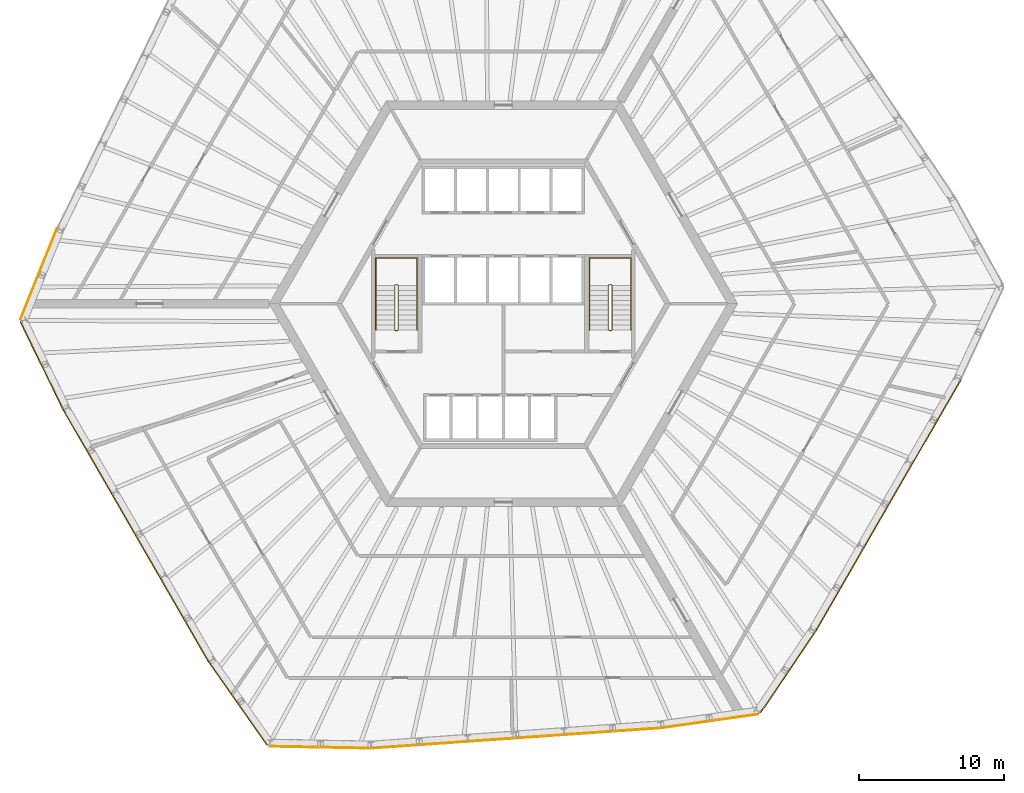
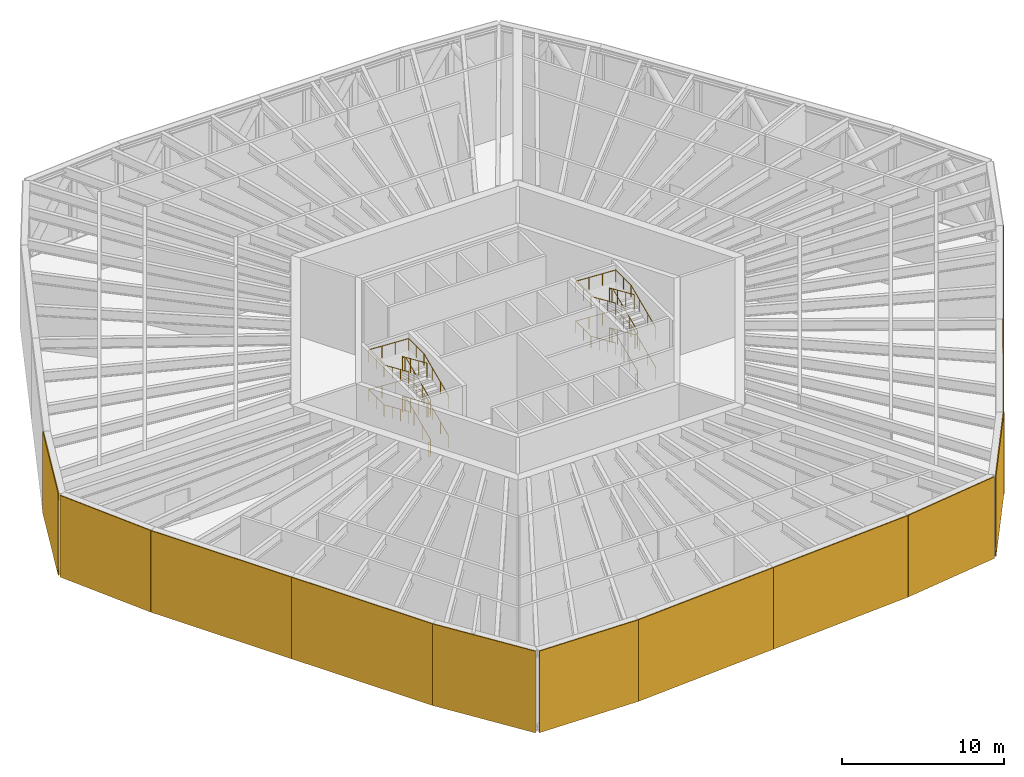
# One storey, part 10 of 11: 12 shading devices, 6 railings.
"""IFC4 building model written with IfcOpenShell, lengths in metres."""

from ifc_helpers import new_model, si_unit, direction, frame, origin, origin_2d, place, context, subcontext, project, spatial, polyline, circle, outline, extrude, material, type_object, element, save


model = new_model("IFC4")

# Units and contexts
model_context = context("Model", 3, precision=1e-05, world=origin(), true_north=direction((0.0, 1.0)))
body_context = subcontext(model_context, "Body", "Model", "MODEL_VIEW")
ifc_project = project(units=[si_unit("LENGTHUNIT", "METRE"), si_unit("AREAUNIT", "SQUARE_METRE"), si_unit("VOLUMEUNIT", "CUBIC_METRE"), si_unit("PLANEANGLEUNIT", "RADIAN"), si_unit("MASSUNIT", "GRAM", prefix="KILO")], contexts=[model_context])

# Site, building, storey
site_placement = place(None, origin())
site = spatial("IfcSite", under=ifc_project, at=site_placement, CompositionType="ELEMENT")
building_placement = place(site_placement, origin())
building = spatial("IfcBuilding", under=site, at=building_placement, Name="Tarnside Tower", CompositionType="ELEMENT")
storey_placement = place(building_placement, frame((0.0, 0.0, 31.5)))
storey = spatial("IfcBuildingStorey", under=building, at=storey_placement, Name="L05", CompositionType="ELEMENT", Elevation=31.5)

# Shading devices
ifc_material_1 = material(Name="Aluminium alloy 6063 louvre", Category="aluminium")
shading_device_type = type_object("IfcShadingDeviceType", Name="Louvre panel 63", PredefinedType="USERDEFINED", material=ifc_material_1)
shading_device_1_placement = place(storey_placement, frame((-32.03759765625, 2.05615234375, -0.300048828125), z_axis=(0.373449663776, 0.927650445279, 0.0), x_axis=(-0.927650445279, 0.373449663776, 0.0)))
element("IfcShadingDevice", 1, at=shading_device_1_placement, inside=storey, type_object=shading_device_type, Name="Louvre L05 007", ObjectType="LOUVRE", PredefinedType="USERDEFINED", context=body_context, shape_type="SweptSolid", body=[
    extrude(outline(polyline([(0.0, 0.0), (0.06298828125, 0.0), (0.06298828125, 6.150146484375), (0.0, 6.150146484375), (0.0, 0.0)])), frame((0.0, 0.0, -3.37744140625)), (0.0, 0.0, 1.0), 6.754638671875),
])
shading_device_2_placement = place(storey_placement, frame((-31.816162109375, -4.285888671875, -0.300048828125), z_axis=(-0.437248922729, 0.899340524814, 0.0), x_axis=(-0.899340524814, -0.437248922729, 0.0)))
element("IfcShadingDevice", 2, at=shading_device_2_placement, inside=storey, type_object=shading_device_type, Name="Louvre L05 008", ObjectType="LOUVRE", PredefinedType="USERDEFINED", context=body_context, shape_type="SweptSolid", body=[
    extrude(outline(polyline([(0.0, 0.0), (0.06298828125, 0.0), (0.06298828125, 6.150146484375), (0.0, 6.150146484375), (0.0, 0.0)])), frame((0.0, 0.0, -3.377197265625)), (0.0, 0.0, 1.0), 6.75439453125),
])
for number, where, z_axis, x_axis, name in (
    (3, (-27.82666015625, -11.677001953125, -0.300048828125), (-0.499999664659, 0.866025597394, 0.0), (-0.866025597394, -0.499999664659, 0.0), "Louvre L05 009"),
    (4, (-22.814697265625, -20.357666015625, -0.300048828125), (-0.50000282703, 0.866023771592, 0.0), (-0.866023771592, -0.50000282703, 0.0), "Louvre L05 010"),
):
    element("IfcShadingDevice", number, at=place(storey_placement, frame(where, z_axis=z_axis, x_axis=x_axis)), inside=storey, type_object=shading_device_type, Name=name, ObjectType="LOUVRE", PredefinedType="USERDEFINED", context=body_context, shape_type="SweptSolid", body=[
        extrude(outline(polyline([(0.0, 0.0), (0.06298828125, 0.0), (0.06298828125, 6.150146484375), (0.0, 6.150146484375), (0.0, 0.0)])), frame((0.0, 0.0, -5.01171875)), (0.0, 0.0, 1.0), 10.023681640625),
    ])
for number, where, z_axis, x_axis, name in (
    (5, (-18.2919921875, -27.569091796875, -0.300048828125), (-0.575028728693, 0.818133217256, 0.0), (-0.818133217256, -0.575028728693, 0.0), "Louvre L05 011"),
    (6, (-12.626953125, -30.5810546875, -0.300048828125), (-0.999815118842, 0.01922831599, 0.0), (-0.01922831599, -0.999815118842, 0.0), "Louvre L05 012"),
):
    element("IfcShadingDevice", number, at=place(storey_placement, frame(where, z_axis=z_axis, x_axis=x_axis)), inside=storey, type_object=shading_device_type, Name=name, ObjectType="LOUVRE", PredefinedType="USERDEFINED", context=body_context, shape_type="SweptSolid", body=[
        extrude(outline(polyline([(0.0, 0.0), (0.06298828125, 0.0), (0.06298828125, 6.150146484375), (0.0, 6.150146484375), (0.0, 0.0)])), frame((0.0, 0.0, -3.48974609375)), (0.0, 0.0, 1.0), 6.979248046875),
    ])
for number, where, z_axis, x_axis, name in (
    (7, (-4.119384765625, -30.298095703125, -0.300048828125), (-0.997564183344, -0.06975457052, 0.0), (0.06975457052, -0.997564183344, 0.0), "Louvre L05 013"),
    (8, (5.8798828125, -29.598876953125, -0.300048828125), (-0.997564134802, -0.069755264722, 0.0), (0.069755264722, -0.997564134802, 0.0), "Louvre L05 014"),
):
    element("IfcShadingDevice", number, at=place(storey_placement, frame(where, z_axis=z_axis, x_axis=x_axis)), inside=storey, type_object=shading_device_type, Name=name, ObjectType="LOUVRE", PredefinedType="USERDEFINED", context=body_context, shape_type="SweptSolid", body=[
        extrude(outline(polyline([(0.0, 0.0), (0.06298828125, 0.0), (0.06298828125, 6.150146484375), (0.0, 6.150146484375), (0.0, 0.0)])), frame((0.0, 0.0, -5.01171875)), (0.0, 0.0, 1.0), 10.023681640625),
    ])
for number, where, z_axis, x_axis, name in (
    (9, (14.23828125, -28.773681640625, -0.300048828125), (-0.990093764769, -0.140407752512, 0.0), (0.140407752512, -0.990093764769, 0.0), "Louvre L05 015"),
    (10, (19.619873046875, -25.41064453125, -0.300048828125), (-0.560215860686, -0.828346660183, 0.0), (0.828346660183, -0.560215860686, 0.0), "Louvre L05 016"),
):
    element("IfcShadingDevice", number, at=place(storey_placement, frame(where, z_axis=z_axis, x_axis=x_axis)), inside=storey, type_object=shading_device_type, Name=name, ObjectType="LOUVRE", PredefinedType="USERDEFINED", context=body_context, shape_type="SweptSolid", body=[
        extrude(outline(polyline([(0.0, 0.0), (0.06298828125, 0.0), (0.06298828125, 6.150146484375), (0.0, 6.150146484375), (0.0, 0.0)])), frame((0.0, 0.0, -3.37744140625)), (0.0, 0.0, 1.0), 6.754638671875),
    ])
for number, where, z_axis, x_axis, name in (
    (11, (24.02587890625, -18.260009765625, -0.300048828125), (-0.499999664659, -0.866025597394, 0.0), (0.866025597394, -0.499999664659, 0.0), "Louvre L05 017"),
    (12, (29.03759765625, -9.579345703125, -0.300048828125), (-0.50000282703, -0.866023771592, 0.0), (0.866023771592, -0.50000282703, 0.0), "Louvre L05 018"),
):
    element("IfcShadingDevice", number, at=place(storey_placement, frame(where, z_axis=z_axis, x_axis=x_axis)), inside=storey, type_object=shading_device_type, Name=name, ObjectType="LOUVRE", PredefinedType="USERDEFINED", context=body_context, shape_type="SweptSolid", body=[
        extrude(outline(polyline([(0.0, 0.0), (0.06298828125, 0.0), (0.06298828125, 6.150146484375), (0.0, 6.150146484375), (0.0, 0.0)])), frame((0.0, 0.0, -5.01171875)), (0.0, 0.0, 1.0), 10.023681640625),
    ])

# Railings
ifc_material_2 = material(Name="Stainless steel", Category="steel")
railing_type_1 = type_object("IfcRailingType", Name="Stair guard 1100", PredefinedType="GUARDRAIL", material=ifc_material_2)
railing_1_placement = place(storey_placement, frame((7.300048828125, -1.85009765625, 0.0)))
element("IfcRailing", 13, at=railing_1_placement, inside=storey, type_object=railing_type_1, Name="L05 ST1 stair guard 1", PredefinedType="GUARDRAIL", context=body_context, shape_type="SweptSolid", body=[
    extrude(circle(Radius=0.02392578125, at=origin_2d()), frame((0.0, 0.0, 1.076171875), z_axis=(1.0, 0.0, 0.0), x_axis=(0.0, 1.0, 0.0)), (0.0, 0.0, 1.0), 0.14990234375),
    extrude(circle(Radius=0.02392578125, at=origin_2d()), frame((0.14990234375, 0.0, 1.076171875), z_axis=(0.301912943143, 0.301912943143, 0.904266083366), x_axis=(-0.707106781187, 0.707106781187, 0.0)), (0.0, 0.0, 1.0), 0.165771484375),
    extrude(circle(Radius=0.02392578125, at=origin_2d()), frame((0.199951171875, 0.050048828125, 1.22607421875), z_axis=(0.0, 0.914909872985, 0.403658177565), x_axis=(-1.0, 0.0, 0.0)), (0.0, 0.0, 1.0), 3.3447265625),
    extrude(circle(Radius=0.02392578125, at=origin_2d()), frame((0.199951171875, 3.110107421875, 2.576171875), z_axis=(-0.707106781187, 0.707106781187, 0.0), x_axis=(-0.707106781187, -0.707106781187, 0.0)), (0.0, 0.0, 1.0), 0.07080078125),
    extrude(circle(Radius=0.02392578125, at=origin_2d()), frame((0.14990234375, 3.16015625, 2.576171875), z_axis=(-1.0, 0.0, 0.0), x_axis=(0.0, -1.0, 0.0)), (0.0, 0.0, 1.0), 0.14990234375),
    extrude(circle(Radius=0.02392578125, at=origin_2d()), frame((0.0, 3.16015625, 2.576171875), z_axis=(-0.301912943143, -0.301912943143, 0.904266083366), x_axis=(0.707106781187, -0.707106781187, 0.0)), (0.0, 0.0, 1.0), 0.165771484375),
    extrude(circle(Radius=0.02392578125, at=origin_2d()), frame((-0.050048828125, 3.110107421875, 2.72607421875), z_axis=(0.0, -0.914909872985, 0.403658177565), x_axis=(1.0, 0.0, 0.0)), (0.0, 0.0, 1.0), 3.3447265625),
    extrude(circle(Radius=0.02392578125, at=origin_2d()), frame((-0.050048828125, 0.050048828125, 4.076171875), z_axis=(0.707106781187, -0.707106781187, 0.0), x_axis=(0.707106781187, 0.707106781187, 0.0)), (0.0, 0.0, 1.0), 0.07080078125),
    extrude(circle(Radius=0.02392578125, at=origin_2d()), frame((0.0, 0.0, 4.076171875), z_axis=(1.0, 0.0, 0.0), x_axis=(0.0, 1.0, 0.0)), (0.0, 0.0, 1.0), 0.14990234375),
    extrude(circle(Radius=0.02392578125, at=origin_2d()), frame((0.14990234375, 0.0, 4.076171875), z_axis=(0.301912943143, 0.301912943143, 0.904266083366), x_axis=(-0.707106781187, 0.707106781187, 0.0)), (0.0, 0.0, 1.0), 0.165771484375),
    extrude(circle(Radius=0.02392578125, at=origin_2d()), frame((0.199951171875, 0.050048828125, 4.22607421875), z_axis=(0.0, 0.914909872985, 0.403658177565), x_axis=(-1.0, 0.0, 0.0)), (0.0, 0.0, 1.0), 3.3447265625),
    extrude(circle(Radius=0.02392578125, at=origin_2d()), frame((0.199951171875, 3.110107421875, 5.576171875), z_axis=(-0.707106781187, 0.707106781187, 0.0), x_axis=(-0.707106781187, -0.707106781187, 0.0)), (0.0, 0.0, 1.0), 0.07080078125),
    extrude(circle(Radius=0.02392578125, at=origin_2d()), frame((0.14990234375, 3.16015625, 5.576171875), z_axis=(-1.0, 0.0, 0.0), x_axis=(0.0, -1.0, 0.0)), (0.0, 0.0, 1.0), 0.14990234375),
    extrude(circle(Radius=0.02392578125, at=origin_2d()), frame((0.0, 3.16015625, 5.576171875), z_axis=(-0.301912943143, -0.301912943143, 0.904266083366), x_axis=(0.707106781187, -0.707106781187, 0.0)), (0.0, 0.0, 1.0), 0.165771484375),
    extrude(circle(Radius=0.02392578125, at=origin_2d()), frame((-0.050048828125, 3.110107421875, 5.72607421875), z_axis=(0.0, -0.914909872985, 0.403658177565), x_axis=(1.0, 0.0, 0.0)), (0.0, 0.0, 1.0), 3.3447265625),
    extrude(circle(Radius=0.02099609375, at=origin_2d()), origin(), (0.0, 0.0, 1.0), 1.052001953125),
    extrude(circle(Radius=0.02099609375, at=origin_2d()), frame((0.14990234375, 0.0, 0.0)), (0.0, 0.0, 1.0), 1.052001953125),
    extrude(circle(Radius=0.02099609375, at=origin_2d()), frame((0.199951171875, 0.050048828125, 0.14990234375)), (0.0, 0.0, 1.0), 1.052001953125),
    extrude(circle(Radius=0.02099609375, at=origin_2d()), frame((0.199951171875, 1.070068359375, 0.599853515625)), (0.0, 0.0, 1.0), 1.052001953125),
    extrude(circle(Radius=0.02099609375, at=origin_2d()), frame((0.199951171875, 2.090087890625, 1.050048828125)), (0.0, 0.0, 1.0), 1.052001953125),
    extrude(circle(Radius=0.02099609375, at=origin_2d()), frame((0.199951171875, 3.110107421875, 1.5)), (0.0, 0.0, 1.0), 1.052001953125),
    extrude(circle(Radius=0.02099609375, at=origin_2d()), frame((0.14990234375, 3.16015625, 1.5)), (0.0, 0.0, 1.0), 1.052001953125),
    extrude(circle(Radius=0.02099609375, at=origin_2d()), frame((0.0, 3.16015625, 1.5)), (0.0, 0.0, 1.0), 1.052001953125),
    extrude(circle(Radius=0.02099609375, at=origin_2d()), frame((-0.050048828125, 3.110107421875, 1.64990234375)), (0.0, 0.0, 1.0), 1.052001953125),
    extrude(circle(Radius=0.02099609375, at=origin_2d()), frame((-0.050048828125, 2.090087890625, 2.099853515625)), (0.0, 0.0, 1.0), 1.052001953125),
    extrude(circle(Radius=0.02099609375, at=origin_2d()), frame((-0.050048828125, 1.070068359375, 2.550048828125)), (0.0, 0.0, 1.0), 1.052001953125),
    extrude(circle(Radius=0.02099609375, at=origin_2d()), frame((-0.050048828125, 0.050048828125, 3.0)), (0.0, 0.0, 1.0), 1.052001953125),
    extrude(circle(Radius=0.02099609375, at=origin_2d()), frame((0.0, 0.0, 3.0)), (0.0, 0.0, 1.0), 1.052001953125),
    extrude(circle(Radius=0.02099609375, at=origin_2d()), frame((0.14990234375, 0.0, 3.0)), (0.0, 0.0, 1.0), 1.052001953125),
    extrude(circle(Radius=0.02099609375, at=origin_2d()), frame((0.199951171875, 0.050048828125, 3.14990234375)), (0.0, 0.0, 1.0), 1.052001953125),
    extrude(circle(Radius=0.02099609375, at=origin_2d()), frame((0.199951171875, 1.070068359375, 3.599853515625)), (0.0, 0.0, 1.0), 1.052001953125),
    extrude(circle(Radius=0.02099609375, at=origin_2d()), frame((0.199951171875, 2.090087890625, 4.050048828125)), (0.0, 0.0, 1.0), 1.052001953125),
    extrude(circle(Radius=0.02099609375, at=origin_2d()), frame((0.199951171875, 3.110107421875, 4.5)), (0.0, 0.0, 1.0), 1.052001953125),
    extrude(circle(Radius=0.02099609375, at=origin_2d()), frame((0.14990234375, 3.16015625, 4.5)), (0.0, 0.0, 1.0), 1.052001953125),
    extrude(circle(Radius=0.02099609375, at=origin_2d()), frame((0.0, 3.16015625, 4.5)), (0.0, 0.0, 1.0), 1.052001953125),
    extrude(circle(Radius=0.02099609375, at=origin_2d()), frame((-0.050048828125, 3.110107421875, 4.64990234375)), (0.0, 0.0, 1.0), 1.052001953125),
    extrude(circle(Radius=0.02099609375, at=origin_2d()), frame((-0.050048828125, 2.090087890625, 5.099853515625)), (0.0, 0.0, 1.0), 1.052001953125),
    extrude(circle(Radius=0.02099609375, at=origin_2d()), frame((-0.050048828125, 1.070068359375, 5.550048828125)), (0.0, 0.0, 1.0), 1.052001953125),
    extrude(circle(Radius=0.02099609375, at=origin_2d()), frame((-0.050048828125, 0.050048828125, 6.0)), (0.0, 0.0, 1.0), 1.052001953125),
])
railing_2_placement = place(storey_placement, frame((-7.449951171875, -1.85009765625, 0.0)))
element("IfcRailing", 14, at=railing_2_placement, inside=storey, type_object=railing_type_1, Name="L05 ST2 stair guard 1", PredefinedType="GUARDRAIL", context=body_context, shape_type="SweptSolid", body=[
    extrude(circle(Radius=0.02392578125, at=origin_2d()), frame((0.0, 0.0, 1.076171875), z_axis=(1.0, 0.0, 0.0), x_axis=(0.0, 1.0, 0.0)), (0.0, 0.0, 1.0), 0.14990234375),
    extrude(circle(Radius=0.02392578125, at=origin_2d()), frame((0.14990234375, 0.0, 1.076171875), z_axis=(0.301912943143, 0.301912943143, 0.904266083366), x_axis=(-0.707106781187, 0.707106781187, 0.0)), (0.0, 0.0, 1.0), 0.165771484375),
    extrude(circle(Radius=0.02392578125, at=origin_2d()), frame((0.199951171875, 0.050048828125, 1.22607421875), z_axis=(0.0, 0.914909872985, 0.403658177565), x_axis=(-1.0, 0.0, 0.0)), (0.0, 0.0, 1.0), 3.3447265625),
    extrude(circle(Radius=0.02392578125, at=origin_2d()), frame((0.199951171875, 3.110107421875, 2.576171875), z_axis=(-0.707106781187, 0.707106781187, 0.0), x_axis=(-0.707106781187, -0.707106781187, 0.0)), (0.0, 0.0, 1.0), 0.07080078125),
    extrude(circle(Radius=0.02392578125, at=origin_2d()), frame((0.14990234375, 3.16015625, 2.576171875), z_axis=(-1.0, 0.0, 0.0), x_axis=(0.0, -1.0, 0.0)), (0.0, 0.0, 1.0), 0.14990234375),
    extrude(circle(Radius=0.02392578125, at=origin_2d()), frame((0.0, 3.16015625, 2.576171875), z_axis=(-0.301912943143, -0.301912943143, 0.904266083366), x_axis=(0.707106781187, -0.707106781187, 0.0)), (0.0, 0.0, 1.0), 0.165771484375),
    extrude(circle(Radius=0.02392578125, at=origin_2d()), frame((-0.050048828125, 3.110107421875, 2.72607421875), z_axis=(0.0, -0.914909872985, 0.403658177565), x_axis=(1.0, 0.0, 0.0)), (0.0, 0.0, 1.0), 3.3447265625),
    extrude(circle(Radius=0.02392578125, at=origin_2d()), frame((-0.050048828125, 0.050048828125, 4.076171875), z_axis=(0.707106781187, -0.707106781187, 0.0), x_axis=(0.707106781187, 0.707106781187, 0.0)), (0.0, 0.0, 1.0), 0.07080078125),
    extrude(circle(Radius=0.02392578125, at=origin_2d()), frame((0.0, 0.0, 4.076171875), z_axis=(1.0, 0.0, 0.0), x_axis=(0.0, 1.0, 0.0)), (0.0, 0.0, 1.0), 0.14990234375),
    extrude(circle(Radius=0.02392578125, at=origin_2d()), frame((0.14990234375, 0.0, 4.076171875), z_axis=(0.301912943143, 0.301912943143, 0.904266083366), x_axis=(-0.707106781187, 0.707106781187, 0.0)), (0.0, 0.0, 1.0), 0.165771484375),
    extrude(circle(Radius=0.02392578125, at=origin_2d()), frame((0.199951171875, 0.050048828125, 4.22607421875), z_axis=(0.0, 0.914909872985, 0.403658177565), x_axis=(-1.0, 0.0, 0.0)), (0.0, 0.0, 1.0), 3.3447265625),
    extrude(circle(Radius=0.02392578125, at=origin_2d()), frame((0.199951171875, 3.110107421875, 5.576171875), z_axis=(-0.707106781187, 0.707106781187, 0.0), x_axis=(-0.707106781187, -0.707106781187, 0.0)), (0.0, 0.0, 1.0), 0.07080078125),
    extrude(circle(Radius=0.02392578125, at=origin_2d()), frame((0.14990234375, 3.16015625, 5.576171875), z_axis=(-1.0, 0.0, 0.0), x_axis=(0.0, -1.0, 0.0)), (0.0, 0.0, 1.0), 0.14990234375),
    extrude(circle(Radius=0.02392578125, at=origin_2d()), frame((0.0, 3.16015625, 5.576171875), z_axis=(-0.301912943143, -0.301912943143, 0.904266083366), x_axis=(0.707106781187, -0.707106781187, 0.0)), (0.0, 0.0, 1.0), 0.165771484375),
    extrude(circle(Radius=0.02392578125, at=origin_2d()), frame((-0.050048828125, 3.110107421875, 5.72607421875), z_axis=(0.0, -0.914909872985, 0.403658177565), x_axis=(1.0, 0.0, 0.0)), (0.0, 0.0, 1.0), 3.3447265625),
    extrude(circle(Radius=0.02099609375, at=origin_2d()), origin(), (0.0, 0.0, 1.0), 1.052001953125),
    extrude(circle(Radius=0.02099609375, at=origin_2d()), frame((0.14990234375, 0.0, 0.0)), (0.0, 0.0, 1.0), 1.052001953125),
    extrude(circle(Radius=0.02099609375, at=origin_2d()), frame((0.199951171875, 0.050048828125, 0.14990234375)), (0.0, 0.0, 1.0), 1.052001953125),
    extrude(circle(Radius=0.02099609375, at=origin_2d()), frame((0.199951171875, 1.070068359375, 0.599853515625)), (0.0, 0.0, 1.0), 1.052001953125),
    extrude(circle(Radius=0.02099609375, at=origin_2d()), frame((0.199951171875, 2.090087890625, 1.050048828125)), (0.0, 0.0, 1.0), 1.052001953125),
    extrude(circle(Radius=0.02099609375, at=origin_2d()), frame((0.199951171875, 3.110107421875, 1.5)), (0.0, 0.0, 1.0), 1.052001953125),
    extrude(circle(Radius=0.02099609375, at=origin_2d()), frame((0.14990234375, 3.16015625, 1.5)), (0.0, 0.0, 1.0), 1.052001953125),
    extrude(circle(Radius=0.02099609375, at=origin_2d()), frame((0.0, 3.16015625, 1.5)), (0.0, 0.0, 1.0), 1.052001953125),
    extrude(circle(Radius=0.02099609375, at=origin_2d()), frame((-0.050048828125, 3.110107421875, 1.64990234375)), (0.0, 0.0, 1.0), 1.052001953125),
    extrude(circle(Radius=0.02099609375, at=origin_2d()), frame((-0.050048828125, 2.090087890625, 2.099853515625)), (0.0, 0.0, 1.0), 1.052001953125),
    extrude(circle(Radius=0.02099609375, at=origin_2d()), frame((-0.050048828125, 1.070068359375, 2.550048828125)), (0.0, 0.0, 1.0), 1.052001953125),
    extrude(circle(Radius=0.02099609375, at=origin_2d()), frame((-0.050048828125, 0.050048828125, 3.0)), (0.0, 0.0, 1.0), 1.052001953125),
    extrude(circle(Radius=0.02099609375, at=origin_2d()), frame((0.0, 0.0, 3.0)), (0.0, 0.0, 1.0), 1.052001953125),
    extrude(circle(Radius=0.02099609375, at=origin_2d()), frame((0.14990234375, 0.0, 3.0)), (0.0, 0.0, 1.0), 1.052001953125),
    extrude(circle(Radius=0.02099609375, at=origin_2d()), frame((0.199951171875, 0.050048828125, 3.14990234375)), (0.0, 0.0, 1.0), 1.052001953125),
    extrude(circle(Radius=0.02099609375, at=origin_2d()), frame((0.199951171875, 1.070068359375, 3.599853515625)), (0.0, 0.0, 1.0), 1.052001953125),
    extrude(circle(Radius=0.02099609375, at=origin_2d()), frame((0.199951171875, 2.090087890625, 4.050048828125)), (0.0, 0.0, 1.0), 1.052001953125),
    extrude(circle(Radius=0.02099609375, at=origin_2d()), frame((0.199951171875, 3.110107421875, 4.5)), (0.0, 0.0, 1.0), 1.052001953125),
    extrude(circle(Radius=0.02099609375, at=origin_2d()), frame((0.14990234375, 3.16015625, 4.5)), (0.0, 0.0, 1.0), 1.052001953125),
    extrude(circle(Radius=0.02099609375, at=origin_2d()), frame((0.0, 3.16015625, 4.5)), (0.0, 0.0, 1.0), 1.052001953125),
    extrude(circle(Radius=0.02099609375, at=origin_2d()), frame((-0.050048828125, 3.110107421875, 4.64990234375)), (0.0, 0.0, 1.0), 1.052001953125),
    extrude(circle(Radius=0.02099609375, at=origin_2d()), frame((-0.050048828125, 2.090087890625, 5.099853515625)), (0.0, 0.0, 1.0), 1.052001953125),
    extrude(circle(Radius=0.02099609375, at=origin_2d()), frame((-0.050048828125, 1.070068359375, 5.550048828125)), (0.0, 0.0, 1.0), 1.052001953125),
    extrude(circle(Radius=0.02099609375, at=origin_2d()), frame((-0.050048828125, 0.050048828125, 6.0)), (0.0, 0.0, 1.0), 1.052001953125),
])
railing_type_2 = type_object("IfcRailingType", Name="Stair handrail 900", PredefinedType="HANDRAIL", material=ifc_material_2)
railing_3_placement = place(storey_placement, frame((8.800048828125, -1.800048828125, 0.14990234375)))
element("IfcRailing", 15, at=railing_3_placement, inside=storey, type_object=railing_type_2, Name="L05 ST1 stair handrail 1", PredefinedType="HANDRAIL", context=body_context, shape_type="SweptSolid", body=[
    extrude(circle(Radius=0.02392578125, at=origin_2d()), frame((0.0, 0.0, 0.8857421875), z_axis=(0.0, 0.914909872985, 0.403658177565), x_axis=(-1.0, 0.0, 0.0)), (0.0, 0.0, 1.0), 3.3447265625),
    extrude(circle(Radius=0.02392578125, at=origin_2d()), frame((0.0, 3.06005859375, 2.23583984375), z_axis=(0.0, 1.0, 0.0), x_axis=(-1.0, 0.0, 0.0)), (0.0, 0.0, 1.0), 1.889892578125),
    extrude(circle(Radius=0.02392578125, at=origin_2d()), frame((0.0, 4.949951171875, 2.23583984375), z_axis=(-0.998619719122, 0.0, 0.052522914814), x_axis=(0.0, -1.0, 0.0)), (0.0, 0.0, 1.0), 2.85400390625),
    extrude(circle(Radius=0.02392578125, at=origin_2d()), frame((-2.85009765625, 4.949951171875, 2.3857421875), z_axis=(0.0, -1.0, 0.0), x_axis=(1.0, 0.0, 0.0)), (0.0, 0.0, 1.0), 1.889892578125),
    extrude(circle(Radius=0.02392578125, at=origin_2d()), frame((-2.85009765625, 3.06005859375, 2.3857421875), z_axis=(0.0, -0.914909872985, 0.403658177565), x_axis=(1.0, 0.0, 0.0)), (0.0, 0.0, 1.0), 3.3447265625),
    extrude(circle(Radius=0.02099609375, at=origin_2d()), origin(), (0.0, 0.0, 1.0), 0.86181640625),
    extrude(circle(Radius=0.02099609375, at=origin_2d()), frame((0.0, 1.02001953125, 0.449951171875)), (0.0, 0.0, 1.0), 0.86181640625),
    extrude(circle(Radius=0.02099609375, at=origin_2d()), frame((0.0, 2.0400390625, 0.900146484375)), (0.0, 0.0, 1.0), 0.86181640625),
    extrude(circle(Radius=0.02099609375, at=origin_2d()), frame((0.0, 3.06005859375, 1.35009765625)), (0.0, 0.0, 1.0), 0.86181640625),
    extrude(circle(Radius=0.02099609375, at=origin_2d()), frame((0.0, 4.0048828125, 1.35009765625)), (0.0, 0.0, 1.0), 0.86181640625),
    extrude(circle(Radius=0.02099609375, at=origin_2d()), frame((0.0, 4.949951171875, 1.35009765625)), (0.0, 0.0, 1.0), 0.86181640625),
    extrude(circle(Radius=0.02099609375, at=origin_2d()), frame((-0.949951171875, 4.949951171875, 1.400146484375)), (0.0, 0.0, 1.0), 0.86181640625),
    extrude(circle(Radius=0.02099609375, at=origin_2d()), frame((-1.900146484375, 4.949951171875, 1.449951171875)), (0.0, 0.0, 1.0), 0.86181640625),
    extrude(circle(Radius=0.02099609375, at=origin_2d()), frame((-2.85009765625, 4.949951171875, 1.5)), (0.0, 0.0, 1.0), 0.86181640625),
    extrude(circle(Radius=0.02099609375, at=origin_2d()), frame((-2.85009765625, 4.0048828125, 1.5)), (0.0, 0.0, 1.0), 0.86181640625),
    extrude(circle(Radius=0.02099609375, at=origin_2d()), frame((-2.85009765625, 3.06005859375, 1.5)), (0.0, 0.0, 1.0), 0.86181640625),
    extrude(circle(Radius=0.02099609375, at=origin_2d()), frame((-2.85009765625, 2.0400390625, 1.949951171875)), (0.0, 0.0, 1.0), 0.86181640625),
    extrude(circle(Radius=0.02099609375, at=origin_2d()), frame((-2.85009765625, 1.02001953125, 2.400146484375)), (0.0, 0.0, 1.0), 0.86181640625),
    extrude(circle(Radius=0.02099609375, at=origin_2d()), frame((-2.85009765625, 0.0, 2.85009765625)), (0.0, 0.0, 1.0), 0.86181640625),
])
railing_4_placement = place(storey_placement, frame((8.800048828125, -1.800048828125, 3.14990234375)))
element("IfcRailing", 16, at=railing_4_placement, inside=storey, type_object=railing_type_2, Name="L05 ST1 stair handrail 2", PredefinedType="HANDRAIL", context=body_context, shape_type="SweptSolid", body=[
    extrude(circle(Radius=0.02392578125, at=origin_2d()), frame((0.0, 0.0, 0.8857421875), z_axis=(0.0, 0.914909872985, 0.403658177565), x_axis=(-1.0, 0.0, 0.0)), (0.0, 0.0, 1.0), 3.3447265625),
    extrude(circle(Radius=0.02392578125, at=origin_2d()), frame((0.0, 3.06005859375, 2.23583984375), z_axis=(0.0, 1.0, 0.0), x_axis=(-1.0, 0.0, 0.0)), (0.0, 0.0, 1.0), 1.889892578125),
    extrude(circle(Radius=0.02392578125, at=origin_2d()), frame((0.0, 4.949951171875, 2.23583984375), z_axis=(-0.998619719122, 0.0, 0.052522914814), x_axis=(0.0, -1.0, 0.0)), (0.0, 0.0, 1.0), 2.85400390625),
    extrude(circle(Radius=0.02392578125, at=origin_2d()), frame((-2.85009765625, 4.949951171875, 2.3857421875), z_axis=(0.0, -1.0, 0.0), x_axis=(1.0, 0.0, 0.0)), (0.0, 0.0, 1.0), 1.889892578125),
    extrude(circle(Radius=0.02392578125, at=origin_2d()), frame((-2.85009765625, 3.06005859375, 2.3857421875), z_axis=(0.0, -0.914909872985, 0.403658177565), x_axis=(1.0, 0.0, 0.0)), (0.0, 0.0, 1.0), 3.3447265625),
    extrude(circle(Radius=0.02099609375, at=origin_2d()), origin(), (0.0, 0.0, 1.0), 0.86181640625),
    extrude(circle(Radius=0.02099609375, at=origin_2d()), frame((0.0, 1.02001953125, 0.449951171875)), (0.0, 0.0, 1.0), 0.86181640625),
    extrude(circle(Radius=0.02099609375, at=origin_2d()), frame((0.0, 2.0400390625, 0.900146484375)), (0.0, 0.0, 1.0), 0.86181640625),
    extrude(circle(Radius=0.02099609375, at=origin_2d()), frame((0.0, 3.06005859375, 1.35009765625)), (0.0, 0.0, 1.0), 0.86181640625),
    extrude(circle(Radius=0.02099609375, at=origin_2d()), frame((0.0, 4.0048828125, 1.35009765625)), (0.0, 0.0, 1.0), 0.86181640625),
    extrude(circle(Radius=0.02099609375, at=origin_2d()), frame((0.0, 4.949951171875, 1.35009765625)), (0.0, 0.0, 1.0), 0.86181640625),
    extrude(circle(Radius=0.02099609375, at=origin_2d()), frame((-0.949951171875, 4.949951171875, 1.400146484375)), (0.0, 0.0, 1.0), 0.86181640625),
    extrude(circle(Radius=0.02099609375, at=origin_2d()), frame((-1.900146484375, 4.949951171875, 1.449951171875)), (0.0, 0.0, 1.0), 0.86181640625),
    extrude(circle(Radius=0.02099609375, at=origin_2d()), frame((-2.85009765625, 4.949951171875, 1.5)), (0.0, 0.0, 1.0), 0.86181640625),
    extrude(circle(Radius=0.02099609375, at=origin_2d()), frame((-2.85009765625, 4.0048828125, 1.5)), (0.0, 0.0, 1.0), 0.86181640625),
    extrude(circle(Radius=0.02099609375, at=origin_2d()), frame((-2.85009765625, 3.06005859375, 1.5)), (0.0, 0.0, 1.0), 0.86181640625),
    extrude(circle(Radius=0.02099609375, at=origin_2d()), frame((-2.85009765625, 2.0400390625, 1.949951171875)), (0.0, 0.0, 1.0), 0.86181640625),
    extrude(circle(Radius=0.02099609375, at=origin_2d()), frame((-2.85009765625, 1.02001953125, 2.400146484375)), (0.0, 0.0, 1.0), 0.86181640625),
    extrude(circle(Radius=0.02099609375, at=origin_2d()), frame((-2.85009765625, 0.0, 2.85009765625)), (0.0, 0.0, 1.0), 0.86181640625),
])
railing_5_placement = place(storey_placement, frame((-5.949951171875, -1.800048828125, 0.14990234375)))
element("IfcRailing", 17, at=railing_5_placement, inside=storey, type_object=railing_type_2, Name="L05 ST2 stair handrail 1", PredefinedType="HANDRAIL", context=body_context, shape_type="SweptSolid", body=[
    extrude(circle(Radius=0.02392578125, at=origin_2d()), frame((0.0, 0.0, 0.8857421875), z_axis=(0.0, 0.914909872985, 0.403658177565), x_axis=(-1.0, 0.0, 0.0)), (0.0, 0.0, 1.0), 3.3447265625),
    extrude(circle(Radius=0.02392578125, at=origin_2d()), frame((0.0, 3.06005859375, 2.23583984375), z_axis=(0.0, 1.0, 0.0), x_axis=(-1.0, 0.0, 0.0)), (0.0, 0.0, 1.0), 1.889892578125),
    extrude(circle(Radius=0.02392578125, at=origin_2d()), frame((0.0, 4.949951171875, 2.23583984375), z_axis=(-0.998619719122, 0.0, 0.052522914814), x_axis=(0.0, -1.0, 0.0)), (0.0, 0.0, 1.0), 2.85400390625),
    extrude(circle(Radius=0.02392578125, at=origin_2d()), frame((-2.85009765625, 4.949951171875, 2.3857421875), z_axis=(0.0, -1.0, 0.0), x_axis=(1.0, 0.0, 0.0)), (0.0, 0.0, 1.0), 1.889892578125),
    extrude(circle(Radius=0.02392578125, at=origin_2d()), frame((-2.85009765625, 3.06005859375, 2.3857421875), z_axis=(0.0, -0.914909872985, 0.403658177565), x_axis=(1.0, 0.0, 0.0)), (0.0, 0.0, 1.0), 3.3447265625),
    extrude(circle(Radius=0.02099609375, at=origin_2d()), origin(), (0.0, 0.0, 1.0), 0.86181640625),
    extrude(circle(Radius=0.02099609375, at=origin_2d()), frame((0.0, 1.02001953125, 0.449951171875)), (0.0, 0.0, 1.0), 0.86181640625),
    extrude(circle(Radius=0.02099609375, at=origin_2d()), frame((0.0, 2.0400390625, 0.900146484375)), (0.0, 0.0, 1.0), 0.86181640625),
    extrude(circle(Radius=0.02099609375, at=origin_2d()), frame((0.0, 3.06005859375, 1.35009765625)), (0.0, 0.0, 1.0), 0.86181640625),
    extrude(circle(Radius=0.02099609375, at=origin_2d()), frame((0.0, 4.0048828125, 1.35009765625)), (0.0, 0.0, 1.0), 0.86181640625),
    extrude(circle(Radius=0.02099609375, at=origin_2d()), frame((0.0, 4.949951171875, 1.35009765625)), (0.0, 0.0, 1.0), 0.86181640625),
    extrude(circle(Radius=0.02099609375, at=origin_2d()), frame((-0.949951171875, 4.949951171875, 1.400146484375)), (0.0, 0.0, 1.0), 0.86181640625),
    extrude(circle(Radius=0.02099609375, at=origin_2d()), frame((-1.900146484375, 4.949951171875, 1.449951171875)), (0.0, 0.0, 1.0), 0.86181640625),
    extrude(circle(Radius=0.02099609375, at=origin_2d()), frame((-2.85009765625, 4.949951171875, 1.5)), (0.0, 0.0, 1.0), 0.86181640625),
    extrude(circle(Radius=0.02099609375, at=origin_2d()), frame((-2.85009765625, 4.0048828125, 1.5)), (0.0, 0.0, 1.0), 0.86181640625),
    extrude(circle(Radius=0.02099609375, at=origin_2d()), frame((-2.85009765625, 3.06005859375, 1.5)), (0.0, 0.0, 1.0), 0.86181640625),
    extrude(circle(Radius=0.02099609375, at=origin_2d()), frame((-2.85009765625, 2.0400390625, 1.949951171875)), (0.0, 0.0, 1.0), 0.86181640625),
    extrude(circle(Radius=0.02099609375, at=origin_2d()), frame((-2.85009765625, 1.02001953125, 2.400146484375)), (0.0, 0.0, 1.0), 0.86181640625),
    extrude(circle(Radius=0.02099609375, at=origin_2d()), frame((-2.85009765625, 0.0, 2.85009765625)), (0.0, 0.0, 1.0), 0.86181640625),
])
railing_6_placement = place(storey_placement, frame((-5.949951171875, -1.800048828125, 3.14990234375)))
element("IfcRailing", 18, at=railing_6_placement, inside=storey, type_object=railing_type_2, Name="L05 ST2 stair handrail 2", PredefinedType="HANDRAIL", context=body_context, shape_type="SweptSolid", body=[
    extrude(circle(Radius=0.02392578125, at=origin_2d()), frame((0.0, 0.0, 0.8857421875), z_axis=(0.0, 0.914909872985, 0.403658177565), x_axis=(-1.0, 0.0, 0.0)), (0.0, 0.0, 1.0), 3.3447265625),
    extrude(circle(Radius=0.02392578125, at=origin_2d()), frame((0.0, 3.06005859375, 2.23583984375), z_axis=(0.0, 1.0, 0.0), x_axis=(-1.0, 0.0, 0.0)), (0.0, 0.0, 1.0), 1.889892578125),
    extrude(circle(Radius=0.02392578125, at=origin_2d()), frame((0.0, 4.949951171875, 2.23583984375), z_axis=(-0.998619719122, 0.0, 0.052522914814), x_axis=(0.0, -1.0, 0.0)), (0.0, 0.0, 1.0), 2.85400390625),
    extrude(circle(Radius=0.02392578125, at=origin_2d()), frame((-2.85009765625, 4.949951171875, 2.3857421875), z_axis=(0.0, -1.0, 0.0), x_axis=(1.0, 0.0, 0.0)), (0.0, 0.0, 1.0), 1.889892578125),
    extrude(circle(Radius=0.02392578125, at=origin_2d()), frame((-2.85009765625, 3.06005859375, 2.3857421875), z_axis=(0.0, -0.914909872985, 0.403658177565), x_axis=(1.0, 0.0, 0.0)), (0.0, 0.0, 1.0), 3.3447265625),
    extrude(circle(Radius=0.02099609375, at=origin_2d()), origin(), (0.0, 0.0, 1.0), 0.86181640625),
    extrude(circle(Radius=0.02099609375, at=origin_2d()), frame((0.0, 1.02001953125, 0.449951171875)), (0.0, 0.0, 1.0), 0.86181640625),
    extrude(circle(Radius=0.02099609375, at=origin_2d()), frame((0.0, 2.0400390625, 0.900146484375)), (0.0, 0.0, 1.0), 0.86181640625),
    extrude(circle(Radius=0.02099609375, at=origin_2d()), frame((0.0, 3.06005859375, 1.35009765625)), (0.0, 0.0, 1.0), 0.86181640625),
    extrude(circle(Radius=0.02099609375, at=origin_2d()), frame((0.0, 4.0048828125, 1.35009765625)), (0.0, 0.0, 1.0), 0.86181640625),
    extrude(circle(Radius=0.02099609375, at=origin_2d()), frame((0.0, 4.949951171875, 1.35009765625)), (0.0, 0.0, 1.0), 0.86181640625),
    extrude(circle(Radius=0.02099609375, at=origin_2d()), frame((-0.949951171875, 4.949951171875, 1.400146484375)), (0.0, 0.0, 1.0), 0.86181640625),
    extrude(circle(Radius=0.02099609375, at=origin_2d()), frame((-1.900146484375, 4.949951171875, 1.449951171875)), (0.0, 0.0, 1.0), 0.86181640625),
    extrude(circle(Radius=0.02099609375, at=origin_2d()), frame((-2.85009765625, 4.949951171875, 1.5)), (0.0, 0.0, 1.0), 0.86181640625),
    extrude(circle(Radius=0.02099609375, at=origin_2d()), frame((-2.85009765625, 4.0048828125, 1.5)), (0.0, 0.0, 1.0), 0.86181640625),
    extrude(circle(Radius=0.02099609375, at=origin_2d()), frame((-2.85009765625, 3.06005859375, 1.5)), (0.0, 0.0, 1.0), 0.86181640625),
    extrude(circle(Radius=0.02099609375, at=origin_2d()), frame((-2.85009765625, 2.0400390625, 1.949951171875)), (0.0, 0.0, 1.0), 0.86181640625),
    extrude(circle(Radius=0.02099609375, at=origin_2d()), frame((-2.85009765625, 1.02001953125, 2.400146484375)), (0.0, 0.0, 1.0), 0.86181640625),
    extrude(circle(Radius=0.02099609375, at=origin_2d()), frame((-2.85009765625, 0.0, 2.85009765625)), (0.0, 0.0, 1.0), 0.86181640625),
])

save(model, "model.ifc")
